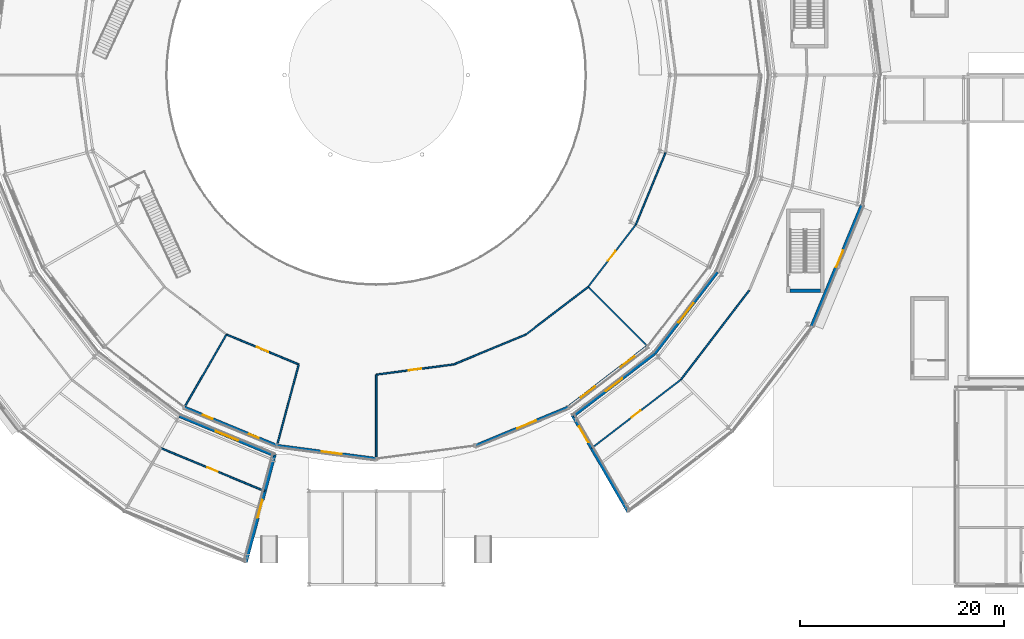
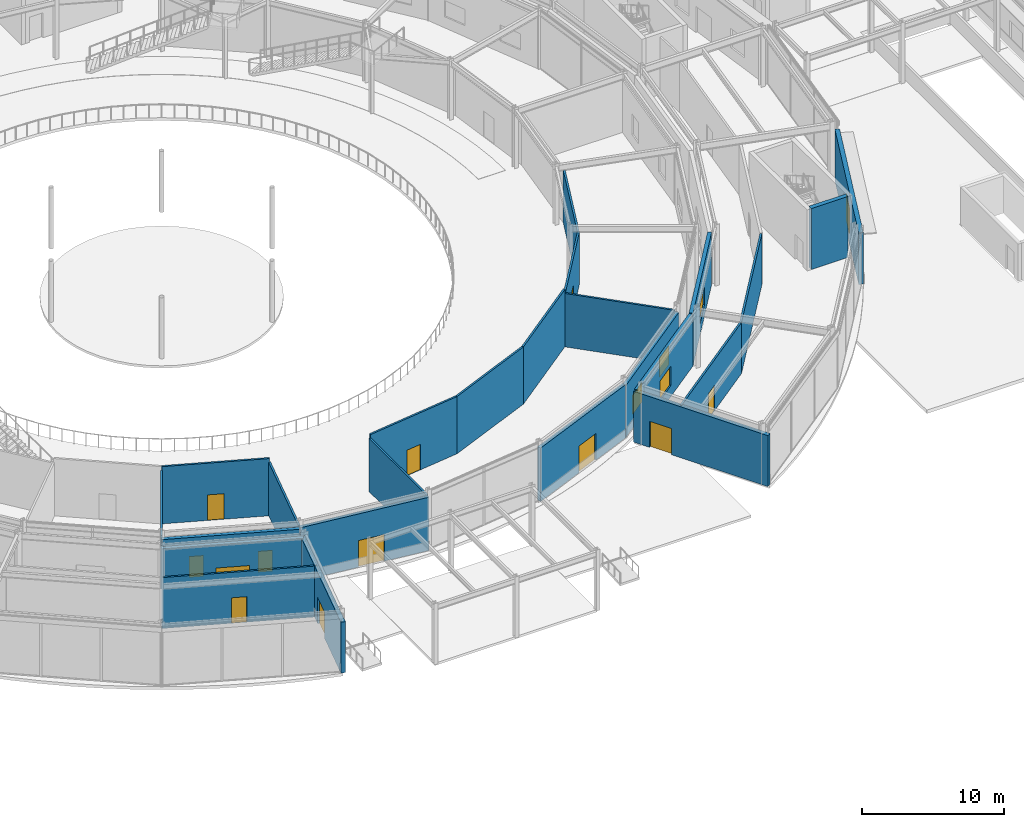
# One storey, part 120 of 168: 24 walls, 10 doors, 7 windows, 17 openings.
"""IFC4 building model written with IfcOpenShell, lengths in metres."""

from ifc_helpers import new_model, si_unit, direction, frame, frame_2d, origin, place, context, subcontext, project, spatial, rectangle, extrude, material, layer, layer_set, type_object, element, fill, save


model = new_model("IFC4")

# Units and contexts
model_context = context("Model", 3, precision=1e-05, world=origin(), true_north=direction((0.0, 1.0)))
body_context = subcontext(model_context, "Body", "Model", "MODEL_VIEW")
ifc_project = project(units=[si_unit("LENGTHUNIT", "METRE"), si_unit("AREAUNIT", "SQUARE_METRE"), si_unit("VOLUMEUNIT", "CUBIC_METRE"), si_unit("PLANEANGLEUNIT", "RADIAN"), si_unit("MASSUNIT", "GRAM", prefix="KILO")], contexts=[model_context])

# Site, building, storey
site_placement = place(None, origin())
site = spatial("IfcSite", under=ifc_project, at=site_placement, CompositionType="ELEMENT")
building_placement = place(site_placement, origin())
building = spatial("IfcBuilding", under=site, at=building_placement, Name="Almandine Court Research Institute", CompositionType="ELEMENT")
storey_placement = place(building_placement, origin())
storey = spatial("IfcBuildingStorey", under=building, at=storey_placement, Name="L00", CompositionType="ELEMENT", Elevation=0.0)

# Wall, opening, door
ifc_material_1 = material(Name="Andean Red-Buff Sandstone Plinth Wall", Category="masonry")
ifc_layer_1 = layer(ifc_material_1, 0.340087890625)
ifc_layer_set_1 = layer_set([ifc_layer_1], Name="Andean Red-Buff Sandstone Plinth Wall")
wall_type_1 = type_object("IfcWallType", Name="Wall-EXT-SAND-340", PredefinedType="SOLIDWALL", material=ifc_layer_set_1)
wall_1_placement = place(storey_placement, frame((134.656982421875, 43.22412109375, 0.0), z_axis=(0.0, 0.0, 1.0), x_axis=(-0.382709793584, -0.923868612896, 0.0)))
wall_1 = element("IfcWall", 1, at=wall_1_placement, inside=storey, type_object=wall_type_1, Name="L00 Drum Outer Facade Wall 22", PredefinedType="SOLIDWALL", context=body_context, shape_type="SweptSolid", body=[
    extrude(rectangle(XDim=12.868896484375, YDim=0.340087890625, at=frame_2d((6.4345703125, 0.0))), origin(), (0.0, 0.0, 1.0), 4.43310546875),
])
opening_1_placement = place(wall_1_placement, frame((4.800048828125, 0.0, 0.0)))
opening_1 = element("IfcOpeningElement", 2, at=opening_1_placement, cuts=wall_1, Name="Opening EX-02", PredefinedType="OPENING", context=body_context, shape_type="SweptSolid", body=[
    extrude(rectangle(XDim=1.800048828125, YDim=2.25, at=frame_2d((0.89990234375, 1.125))), frame((0.0, 0.179931640625, 0.0), z_axis=(0.0, -1.0, 0.0), x_axis=(1.0, 0.0, 0.0)), (0.0, 0.0, 1.0), 0.360107421875),
])
ifc_material_2 = material(Name="Anodised Aluminium Exit Discharge Door", Category="aluminium")
door_type_1 = type_object("IfcDoorType", Name="Door-EX-1800", OperationType="DOUBLE_DOOR_SINGLE_SWING", PredefinedType="DOOR", material=ifc_material_2)
door_1_placement = place(opening_1_placement, origin())
door_1 = element("IfcDoor", 3, at=door_1_placement, inside=storey, type_object=door_type_1, Name="L00 Drum Courtyard Exit Door 22", OperationType="DOUBLE_DOOR_SINGLE_SWING", OverallHeight=2.25, OverallWidth=1.800048828125, PredefinedType="DOOR", context=body_context, shape_type="SweptSolid", body=[
    extrude(rectangle(XDim=1.800048828125, YDim=2.25, at=frame_2d((0.89990234375, 1.125))), frame((0.0, 0.02490234375, 0.0), z_axis=(0.0, -1.0, 0.0), x_axis=(1.0, 0.0, 0.0)), (0.0, 0.0, 1.0), 0.050048828125),
])
fill(opening_1, door_1)

wall_2_placement = place(storey_placement, frame((106.261962890625, 22.636962890625, 0.0), z_axis=(0.0, 0.0, 1.0), x_axis=(0.500037643518, -0.866003669198, 0.0)))
wall_2 = element("IfcWall", 4, at=wall_2_placement, inside=storey, type_object=wall_type_1, Name="L00 Drum Radial End Wall START", PredefinedType="SOLIDWALL", context=body_context, shape_type="SweptSolid", body=[
    extrude(rectangle(XDim=10.951416015625, YDim=0.340087890625, at=frame_2d((5.4755859375, 0.0))), origin(), (0.0, 0.0, 1.0), 4.385986328125),
])
opening_2_placement = place(wall_2_placement, frame((1.300048828125, 0.0, 0.0)))
opening_2 = element("IfcOpeningElement", 5, at=opening_2_placement, cuts=wall_2, Name="Opening EX-02", PredefinedType="OPENING", context=body_context, shape_type="SweptSolid", body=[
    extrude(rectangle(XDim=1.800048828125, YDim=2.25, at=frame_2d((0.89990234375, 1.125))), frame((0.0, 0.179931640625, 0.0), z_axis=(0.0, -1.0, 0.0), x_axis=(1.0, 0.0, 0.0)), (0.0, 0.0, 1.0), 0.360107421875),
])
door_2_placement = place(opening_2_placement, origin())
door_2 = element("IfcDoor", 6, at=door_2_placement, inside=storey, type_object=door_type_1, Name="L00 Drum Pishtaq Portal Exit Door START", OperationType="DOUBLE_DOOR_SINGLE_SWING", OverallHeight=2.25, OverallWidth=1.800048828125, PredefinedType="DOOR", context=body_context, shape_type="SweptSolid", body=[
    extrude(rectangle(XDim=1.800048828125, YDim=2.25, at=frame_2d((0.89990234375, 1.125))), frame((0.0, 0.02490234375, 0.0), z_axis=(0.0, -1.0, 0.0), x_axis=(1.0, 0.0, 0.0)), (0.0, 0.0, 1.0), 0.050048828125),
])
fill(opening_2, door_2)

wall_3_placement = place(storey_placement, frame((74.195068359375, 8.2099609375, 0.0), z_axis=(0.0, 0.0, 1.0), x_axis=(0.258761341476, 0.965941286082, 0.0)))
wall_3 = element("IfcWall", 7, at=wall_3_placement, inside=storey, type_object=wall_type_1, Name="L00 Drum Radial End Wall END", PredefinedType="SOLIDWALL", context=body_context, shape_type="SweptSolid", body=[
    extrude(rectangle(XDim=10.9521484375, YDim=0.340087890625, at=frame_2d((5.47607421875, 0.0))), origin(), (0.0, 0.0, 1.0), 4.385986328125),
])
opening_3_placement = place(wall_3_placement, frame((4.5, 0.0, 0.0)))
opening_3 = element("IfcOpeningElement", 8, at=opening_3_placement, cuts=wall_3, Name="Opening EX-02", PredefinedType="OPENING", context=body_context, shape_type="SweptSolid", body=[
    extrude(rectangle(XDim=1.800048828125, YDim=2.25, at=frame_2d((0.89990234375, 1.125))), frame((0.0, 0.179931640625, 0.0), z_axis=(0.0, -1.0, 0.0), x_axis=(1.0, 0.0, 0.0)), (0.0, 0.0, 1.0), 0.360107421875),
])
door_3_placement = place(opening_3_placement, origin())
door_3 = element("IfcDoor", 9, at=door_3_placement, inside=storey, type_object=door_type_1, Name="L00 Drum Pishtaq Portal Exit Door END", OperationType="DOUBLE_DOOR_SINGLE_SWING", OverallHeight=2.25, OverallWidth=1.800048828125, PredefinedType="DOOR", context=body_context, shape_type="SweptSolid", body=[
    extrude(rectangle(XDim=1.800048828125, YDim=2.25, at=frame_2d((0.89990234375, 1.125))), frame((0.0, 0.02490234375, 0.0), z_axis=(0.0, -1.0, 0.0), x_axis=(1.0, 0.0, 0.0)), (0.0, 0.0, 1.0), 0.050048828125),
])
fill(opening_3, door_3)

# Wall, opening, window
ifc_material_3 = material(Name="Insulated Ochre Terracotta Rainscreen Wall", Category="masonry")
ifc_layer_2 = layer(ifc_material_3, 0.2900390625)
ifc_layer_set_2 = layer_set([ifc_layer_2], Name="Insulated Ochre Terracotta Rainscreen Wall")
wall_type_2 = type_object("IfcWallType", Name="Wall-EXT-TERR-290", PredefinedType="SOLIDWALL", material=ifc_layer_set_2)
wall_4_placement = place(storey_placement, frame((106.3349609375, 22.52294921875, 0.0), z_axis=(0.0, 0.0, 1.0), x_axis=(0.793371621275, 0.608737604027, 0.0)))
wall_4 = element("IfcWall", 10, at=wall_4_placement, inside=storey, type_object=wall_type_2, Name="L00 Drum Inner Gallery Wall 20", PredefinedType="SOLIDWALL", context=body_context, shape_type="SweptSolid", body=[
    extrude(rectangle(XDim=10.079833984375, YDim=0.2900390625, at=frame_2d((5.0400390625, 0.0))), origin(), (0.0, 0.0, 1.0), 4.468994140625),
])
opening_4_placement = place(wall_4_placement, frame((4.02001953125, 0.0, 0.949951171875)))
opening_4 = element("IfcOpeningElement", 11, at=opening_4_placement, cuts=wall_4, Name="Opening WN-93", PredefinedType="OPENING", context=body_context, shape_type="SweptSolid", body=[
    extrude(rectangle(XDim=2.0400390625, YDim=1.669921875, at=frame_2d((1.02001953125, 0.8349609375))), frame((0.0, 0.155029296875, 0.0), z_axis=(0.0, -1.0, 0.0), x_axis=(1.0, 0.0, 0.0)), (0.0, 0.0, 1.0), 0.31005859375),
])
ifc_material_4 = material(Name="Thermally Broken Low-E Double-Glazed Window", Category="glass")
window_type_1 = type_object("IfcWindowType", Name="Win-WN-93-2040x1670", PartitioningType="SINGLE_PANEL", PredefinedType="WINDOW", material=ifc_material_4)
window_1_placement = place(opening_4_placement, origin())
window_1 = element("IfcWindow", 12, at=window_1_placement, inside=storey, type_object=window_type_1, Name="L00 Modular Recessed Low-E Window 205", OverallHeight=1.669921875, OverallWidth=2.0400390625, PartitioningType="SINGLE_PANEL", PredefinedType="WINDOW", context=body_context, shape_type="SweptSolid", body=[
    extrude(rectangle(XDim=2.0400390625, YDim=1.669921875, at=frame_2d((1.02001953125, 0.8349609375))), frame((0.0, 0.030029296875, 0.0), z_axis=(0.0, -1.0, 0.0), x_axis=(1.0, 0.0, 0.0)), (0.0, 0.0, 1.0), 0.06005859375),
])
fill(opening_4, window_1)

wall_5_placement = place(storey_placement, frame((114.341064453125, 28.66796875, 0.0), z_axis=(0.0, 0.0, 1.0), x_axis=(0.608737604027, 0.793371621275, 0.0)))
wall_5 = element("IfcWall", 13, at=wall_5_placement, inside=storey, type_object=wall_type_2, Name="L00 Drum Inner Gallery Wall 21", PredefinedType="SOLIDWALL", context=body_context, shape_type="SweptSolid", body=[
    extrude(rectangle(XDim=10.079833984375, YDim=0.2900390625, at=frame_2d((5.0400390625, 0.0))), origin(), (0.0, 0.0, 1.0), 4.51611328125),
])
opening_5_placement = place(wall_5_placement, frame((3.85498046875, 0.0, 0.949951171875)))
opening_5 = element("IfcOpeningElement", 14, at=opening_5_placement, cuts=wall_5, Name="Opening WN-94", PredefinedType="OPENING", context=body_context, shape_type="SweptSolid", body=[
    extrude(rectangle(XDim=2.3701171875, YDim=1.590087890625, at=frame_2d((1.18505859375, 0.794921875))), frame((0.0, 0.155029296875, 0.0), z_axis=(0.0, -1.0, 0.0), x_axis=(1.0, 0.0, 0.0)), (0.0, 0.0, 1.0), 0.31005859375),
])
window_type_2 = type_object("IfcWindowType", Name="Win-WN-94-2370x1590", PartitioningType="SINGLE_PANEL", PredefinedType="WINDOW", material=ifc_material_4)
window_2_placement = place(opening_5_placement, origin())
window_2 = element("IfcWindow", 15, at=window_2_placement, inside=storey, type_object=window_type_2, Name="L00 Modular Recessed Low-E Window 206", OverallHeight=1.590087890625, OverallWidth=2.3701171875, PartitioningType="SINGLE_PANEL", PredefinedType="WINDOW", context=body_context, shape_type="SweptSolid", body=[
    extrude(rectangle(XDim=2.3701171875, YDim=1.590087890625, at=frame_2d((1.18505859375, 0.794921875))), frame((0.0, 0.030029296875, 0.0), z_axis=(0.0, -1.0, 0.0), x_axis=(1.0, 0.0, 0.0)), (0.0, 0.0, 1.0), 0.06005859375),
])
fill(opening_5, window_2)

wall_6_placement = place(storey_placement, frame((67.675048828125, 22.51708984375, 0.0), z_axis=(0.0, 0.0, 1.0), x_axis=(0.92385889973, -0.382733240508, 0.0)))
wall_6 = element("IfcWall", 16, at=wall_6_placement, inside=storey, type_object=wall_type_2, Name="L00 Drum Inner Gallery Wall 16", PredefinedType="SOLIDWALL", context=body_context, shape_type="SweptSolid", body=[
    extrude(rectangle(XDim=10.08056640625, YDim=0.2900390625, at=frame_2d((5.040283203125, 0.0))), origin(), (0.0, 0.0, 1.0), 4.385986328125),
])
opening_6_placement = place(wall_6_placement, frame((3.85498046875, 0.0, 0.949951171875)))
opening_6 = element("IfcOpeningElement", 17, at=opening_6_placement, cuts=wall_6, Name="Opening WN-25", PredefinedType="OPENING", context=body_context, shape_type="SweptSolid", body=[
    extrude(rectangle(XDim=2.3701171875, YDim=1.429931640625, at=frame_2d((1.18505859375, 0.71484375))), frame((0.0, 0.155029296875, 0.0), z_axis=(0.0, -1.0, 0.0), x_axis=(1.0, 0.0, 0.0)), (0.0, 0.0, 1.0), 0.31005859375),
])
window_type_3 = type_object("IfcWindowType", Name="Win-WN-25-2370x1430", PartitioningType="SINGLE_PANEL", PredefinedType="WINDOW", material=ifc_material_4)
window_3_placement = place(opening_6_placement, origin())
window_3 = element("IfcWindow", 18, at=window_3_placement, inside=storey, type_object=window_type_3, Name="L00 Modular Recessed Low-E Window 238", OverallHeight=1.429931640625, OverallWidth=2.3701171875, PartitioningType="SINGLE_PANEL", PredefinedType="WINDOW", context=body_context, shape_type="SweptSolid", body=[
    extrude(rectangle(XDim=2.3701171875, YDim=1.429931640625, at=frame_2d((1.18505859375, 0.71484375))), frame((0.0, 0.030029296875, 0.0), z_axis=(0.0, -1.0, 0.0), x_axis=(1.0, 0.0, 0.0)), (0.0, 0.0, 1.0), 0.06005859375),
])
fill(opening_6, window_3)

# Wall, openings, windows
wall_7_placement = place(storey_placement, frame((77.251953125, 19.634033203125, 0.0), z_axis=(0.0, 0.0, 1.0), x_axis=(-0.923848052238, 0.382759423628, 0.0)))
wall_7 = element("IfcWall", 19, at=wall_7_placement, inside=storey, type_object=wall_type_2, Name="L00 Interaction Atrium Perimeter Wall 16", PredefinedType="SOLIDWALL", context=body_context, shape_type="SweptSolid", body=[
    extrude(rectangle(XDim=9.82080078125, YDim=0.2900390625, at=frame_2d((4.910400390625, 0.0))), origin(), (0.0, 0.0, 1.0), 4.468994140625),
])
opening_7_placement = place(wall_7_placement, frame((1.929931640625, 0.0, 0.949951171875)))
opening_7 = element("IfcOpeningElement", 20, at=opening_7_placement, cuts=wall_7, Name="Opening WN-16", PredefinedType="OPENING", context=body_context, shape_type="SweptSolid", body=[
    extrude(rectangle(XDim=1.050048828125, YDim=1.800048828125, at=frame_2d((0.52490234375, 0.89990234375))), frame((0.0, 0.155029296875, 0.0), z_axis=(0.0, -1.0, 0.0), x_axis=(1.0, 0.0, 0.0)), (0.0, 0.0, 1.0), 0.31005859375),
])
opening_8_placement = place(wall_7_placement, frame((6.841064453125, 0.0, 0.949951171875)))
opening_8 = element("IfcOpeningElement", 21, at=opening_8_placement, cuts=wall_7, Name="Opening WN-16", PredefinedType="OPENING", context=body_context, shape_type="SweptSolid", body=[
    extrude(rectangle(XDim=1.050048828125, YDim=1.800048828125, at=frame_2d((0.52490234375, 0.89990234375))), frame((0.0, 0.155029296875, 0.0), z_axis=(0.0, -1.0, 0.0), x_axis=(1.0, 0.0, 0.0)), (0.0, 0.0, 1.0), 0.31005859375),
])
window_type_4 = type_object("IfcWindowType", Name="Win-WN-16-1050x1800", PartitioningType="SINGLE_PANEL", PredefinedType="WINDOW", material=ifc_material_4)
window_4_placement = place(opening_7_placement, origin())
window_4 = element("IfcWindow", 22, at=window_4_placement, inside=storey, type_object=window_type_4, Name="L00 Modular Recessed Low-E Window 330", OverallHeight=1.800048828125, OverallWidth=1.050048828125, PartitioningType="SINGLE_PANEL", PredefinedType="WINDOW", context=body_context, shape_type="SweptSolid", body=[
    extrude(rectangle(XDim=1.050048828125, YDim=1.800048828125, at=frame_2d((0.52490234375, 0.89990234375))), frame((0.0, 0.030029296875, 0.0), z_axis=(0.0, -1.0, 0.0), x_axis=(1.0, 0.0, 0.0)), (0.0, 0.0, 1.0), 0.06005859375),
])
fill(opening_7, window_4)
window_5_placement = place(opening_8_placement, origin())
window_5 = element("IfcWindow", 23, at=window_5_placement, inside=storey, type_object=window_type_4, Name="L00 Modular Recessed Low-E Window 331", OverallHeight=1.800048828125, OverallWidth=1.050048828125, PartitioningType="SINGLE_PANEL", PredefinedType="WINDOW", context=body_context, shape_type="SweptSolid", body=[
    extrude(rectangle(XDim=1.050048828125, YDim=1.800048828125, at=frame_2d((0.52490234375, 0.89990234375))), frame((0.0, 0.030029296875, 0.0), z_axis=(0.0, -1.0, 0.0), x_axis=(1.0, 0.0, 0.0)), (0.0, 0.0, 1.0), 0.06005859375),
])
fill(opening_8, window_5)

# Wall, opening, door
wall_8_placement = place(storey_placement, frame((86.99609375, 18.35107421875, 0.0), z_axis=(0.0, 0.0, 1.0), x_axis=(-0.991456749128, 0.130435863969, 0.0)))
wall_8 = element("IfcWall", 24, at=wall_8_placement, inside=storey, type_object=wall_type_2, Name="L00 Interaction Atrium Perimeter Wall 17", PredefinedType="SOLIDWALL", context=body_context, shape_type="SweptSolid", body=[
    extrude(rectangle(XDim=9.821044921875, YDim=0.2900390625, at=frame_2d((4.91064453125, 0.0))), origin(), (0.0, 0.0, 1.0), 4.593017578125),
])
opening_9_placement = place(wall_8_placement, frame((3.39990234375, 0.0, 0.0)))
opening_9 = element("IfcOpeningElement", 25, at=opening_9_placement, cuts=wall_8, Name="Opening EX-01", PredefinedType="OPENING", context=body_context, shape_type="SweptSolid", body=[
    extrude(rectangle(XDim=2.0, YDim=2.300048828125, at=frame_2d((1.0, 1.14990234375))), frame((0.0, 0.155029296875, 0.0), z_axis=(0.0, -1.0, 0.0), x_axis=(1.0, 0.0, 0.0)), (0.0, 0.0, 1.0), 0.31005859375),
])
ifc_material_5 = material(Name="Anodised Aluminium Glazed Exit Door", Category="aluminium")
door_type_2 = type_object("IfcDoorType", Name="Door-EX-2000", OperationType="DOUBLE_DOOR_SINGLE_SWING", PredefinedType="DOOR", material=ifc_material_5)
door_4_placement = place(opening_9_placement, origin())
door_4 = element("IfcDoor", 26, at=door_4_placement, inside=storey, type_object=door_type_2, Name="L00 Interaction Atrium South Portal Exit Door 17", OperationType="DOUBLE_DOOR_SINGLE_SWING", OverallHeight=2.300048828125, OverallWidth=2.0, PredefinedType="DOOR", context=body_context, shape_type="SweptSolid", body=[
    extrude(rectangle(XDim=2.0, YDim=2.300048828125, at=frame_2d((1.0, 1.14990234375))), frame((0.0, 0.02490234375, 0.0), z_axis=(0.0, -1.0, 0.0), x_axis=(1.0, 0.0, 0.0)), (0.0, 0.0, 1.0), 0.050048828125),
])
fill(opening_9, door_4)

wall_9_placement = place(storey_placement, frame((105.821044921875, 23.39306640625, 0.0), z_axis=(0.0, 0.0, 1.0), x_axis=(-0.923848052238, -0.382759423628, 0.0)))
wall_9 = element("IfcWall", 27, at=wall_9_placement, inside=storey, type_object=wall_type_2, Name="L00 Interaction Atrium Perimeter Wall 19", PredefinedType="SOLIDWALL", context=body_context, shape_type="SweptSolid", body=[
    extrude(rectangle(XDim=9.82080078125, YDim=0.2900390625, at=frame_2d((4.910400390625, 0.0))), origin(), (0.0, 0.0, 1.0), 4.593017578125),
])
opening_10_placement = place(wall_9_placement, frame((3.39990234375, 0.0, 0.0)))
opening_10 = element("IfcOpeningElement", 28, at=opening_10_placement, cuts=wall_9, Name="Opening EX-01", PredefinedType="OPENING", context=body_context, shape_type="SweptSolid", body=[
    extrude(rectangle(XDim=2.0, YDim=2.300048828125, at=frame_2d((1.0, 1.14990234375))), frame((0.0, 0.155029296875, 0.0), z_axis=(0.0, -1.0, 0.0), x_axis=(1.0, 0.0, 0.0)), (0.0, 0.0, 1.0), 0.31005859375),
])
door_5_placement = place(opening_10_placement, origin())
door_5 = element("IfcDoor", 29, at=door_5_placement, inside=storey, type_object=door_type_2, Name="L00 Interaction Atrium South Portal Exit Door 19", OperationType="DOUBLE_DOOR_SINGLE_SWING", OverallHeight=2.300048828125, OverallWidth=2.0, PredefinedType="DOOR", context=body_context, shape_type="SweptSolid", body=[
    extrude(rectangle(XDim=2.0, YDim=2.300048828125, at=frame_2d((1.0, 1.14990234375))), frame((0.0, 0.02490234375, 0.0), z_axis=(0.0, -1.0, 0.0), x_axis=(1.0, 0.0, 0.0)), (0.0, 0.0, 1.0), 0.050048828125),
])
fill(opening_10, door_5)

# Wall, openings, windows
wall_10_placement = place(storey_placement, frame((113.618896484375, 29.375, 0.0), z_axis=(0.0, 0.0, 1.0), x_axis=(-0.793364612762, -0.608746738158, 0.0)))
wall_10 = element("IfcWall", 30, at=wall_10_placement, inside=storey, type_object=wall_type_2, Name="L00 Interaction Atrium Perimeter Wall 20", PredefinedType="SOLIDWALL", context=body_context, shape_type="SweptSolid", body=[
    extrude(rectangle(XDim=9.8203125, YDim=0.2900390625, at=frame_2d((4.91015625, 0.0))), origin(), (0.0, 0.0, 1.0), 4.468994140625),
])
opening_11_placement = place(wall_10_placement, frame((1.60009765625, 0.0, 0.949951171875)))
opening_11 = element("IfcOpeningElement", 31, at=opening_11_placement, cuts=wall_10, Name="Opening WN-84", PredefinedType="OPENING", context=body_context, shape_type="SweptSolid", body=[
    extrude(rectangle(XDim=1.7099609375, YDim=1.639892578125, at=frame_2d((0.85498046875, 0.81982421875))), frame((0.0, 0.155029296875, 0.0), z_axis=(0.0, -1.0, 0.0), x_axis=(1.0, 0.0, 0.0)), (0.0, 0.0, 1.0), 0.31005859375),
])
opening_12_placement = place(wall_10_placement, frame((6.510009765625, 0.0, 0.949951171875)))
opening_12 = element("IfcOpeningElement", 32, at=opening_12_placement, cuts=wall_10, Name="Opening WN-84", PredefinedType="OPENING", context=body_context, shape_type="SweptSolid", body=[
    extrude(rectangle(XDim=1.7099609375, YDim=1.639892578125, at=frame_2d((0.85498046875, 0.81982421875))), frame((0.0, 0.155029296875, 0.0), z_axis=(0.0, -1.0, 0.0), x_axis=(1.0, 0.0, 0.0)), (0.0, 0.0, 1.0), 0.31005859375),
])
window_type_5 = type_object("IfcWindowType", Name="Win-WN-84-1710x1640", PartitioningType="SINGLE_PANEL", PredefinedType="WINDOW", material=ifc_material_4)
window_6_placement = place(opening_11_placement, origin())
window_6 = element("IfcWindow", 33, at=window_6_placement, inside=storey, type_object=window_type_5, Name="L00 Modular Recessed Low-E Window 332", OverallHeight=1.639892578125, OverallWidth=1.7099609375, PartitioningType="SINGLE_PANEL", PredefinedType="WINDOW", context=body_context, shape_type="SweptSolid", body=[
    extrude(rectangle(XDim=1.7099609375, YDim=1.639892578125, at=frame_2d((0.85498046875, 0.81982421875))), frame((0.0, 0.030029296875, 0.0), z_axis=(0.0, -1.0, 0.0), x_axis=(1.0, 0.0, 0.0)), (0.0, 0.0, 1.0), 0.06005859375),
])
fill(opening_11, window_6)
window_7_placement = place(opening_12_placement, origin())
window_7 = element("IfcWindow", 34, at=window_7_placement, inside=storey, type_object=window_type_5, Name="L00 Modular Recessed Low-E Window 333", OverallHeight=1.639892578125, OverallWidth=1.7099609375, PartitioningType="SINGLE_PANEL", PredefinedType="WINDOW", context=body_context, shape_type="SweptSolid", body=[
    extrude(rectangle(XDim=1.7099609375, YDim=1.639892578125, at=frame_2d((0.85498046875, 0.81982421875))), frame((0.0, 0.030029296875, 0.0), z_axis=(0.0, -1.0, 0.0), x_axis=(1.0, 0.0, 0.0)), (0.0, 0.0, 1.0), 0.06005859375),
])
fill(opening_12, window_7)

# Wall, opening, door
ifc_material_6 = material(Name="Acoustic Steel-Stud Gypsum Partition Wall", Category="steel")
ifc_layer_3 = layer(ifc_material_6, 0.14990234375)
ifc_layer_set_3 = layer_set([ifc_layer_3], Name="Acoustic Steel-Stud Gypsum Partition Wall")
wall_type_3 = type_object("IfcWallType", Name="Wall-PART-150", PredefinedType="PARTITIONING", material=ifc_layer_set_3)
wall_11_placement = place(storey_placement, frame((108.139892578125, 19.384033203125, 0.0), z_axis=(0.0, 0.0, 1.0), x_axis=(0.793301872689, 0.608828497024, 0.0)))
wall_11 = element("IfcWall", 35, at=wall_11_placement, inside=storey, type_object=wall_type_3, Name="L00 Interior Partition W-V5-L00-CHD-20", PredefinedType="PARTITIONING", context=body_context, shape_type="SweptSolid", body=[
    extrude(rectangle(XDim=11.03759765625, YDim=0.14990234375, at=frame_2d((5.518798828125, 0.0))), origin(), (0.0, 0.0, 1.0), 4.39111328125),
])
opening_13_placement = place(wall_11_placement, frame((4.949951171875, 0.0, 0.0)))
opening_13 = element("IfcOpeningElement", 36, at=opening_13_placement, cuts=wall_11, Name="Opening D-03", PredefinedType="OPENING", context=body_context, shape_type="SweptSolid", body=[
    extrude(rectangle(XDim=1.10009765625, YDim=2.199951171875, at=frame_2d((0.550048828125, 1.10009765625))), frame((0.0, 0.0849609375, 0.0), z_axis=(0.0, -1.0, 0.0), x_axis=(1.0, 0.0, 0.0)), (0.0, 0.0, 1.0), 0.169921875),
])
ifc_material_7 = material(Name="Acoustic Vision-Panel Seminar Door")
door_type_3 = type_object("IfcDoorType", Name="Door-INT-1100", OperationType="NOTDEFINED", PredefinedType="DOOR", material=ifc_material_7)
door_6_placement = place(opening_13_placement, origin())
door_6 = element("IfcDoor", 37, at=door_6_placement, inside=storey, type_object=door_type_3, Name="L00 Drum Computational Research Laboratory Door", OperationType="SINGLE_SWING_LEFT", OverallHeight=2.199951171875, OverallWidth=1.10009765625, PredefinedType="DOOR", context=body_context, shape_type="SweptSolid", body=[
    extrude(rectangle(XDim=1.10009765625, YDim=2.199951171875, at=frame_2d((0.550048828125, 1.10009765625))), frame((0.0, 0.02490234375, 0.0), z_axis=(0.0, -1.0, 0.0), x_axis=(1.0, 0.0, 0.0)), (0.0, 0.0, 1.0), 0.050048828125),
])
fill(opening_13, door_6)

# Wall
wall_12_placement = place(storey_placement, frame((116.89599609375, 26.10400390625, 0.0), z_axis=(0.0, 0.0, 1.0), x_axis=(0.608828497024, 0.793301872689, 0.0)))
element("IfcWall", 38, at=wall_12_placement, inside=storey, type_object=wall_type_3, Name="L00 Interior Partition W-V5-L00-CHD-21", PredefinedType="PARTITIONING", context=body_context, shape_type="SweptSolid", body=[
    extrude(rectangle(XDim=11.03759765625, YDim=0.14990234375, at=frame_2d((5.518798828125, 0.0))), origin(), (0.0, 0.0, 1.0), 4.39111328125),
])

# Wall, opening, door
wall_13_placement = place(storey_placement, frame((65.860107421875, 19.384033203125, 0.0), z_axis=(0.0, 0.0, 1.0), x_axis=(0.923895514793, -0.382644845446, 0.0)))
wall_13 = element("IfcWall", 39, at=wall_13_placement, inside=storey, type_object=wall_type_3, Name="L00 Interior Partition W-V5-L00-CHD-16", PredefinedType="PARTITIONING", context=body_context, shape_type="SweptSolid", body=[
    extrude(rectangle(XDim=11.03662109375, YDim=0.14990234375, at=frame_2d((5.518310546875, 0.0))), origin(), (0.0, 0.0, 1.0), 4.39111328125),
])
opening_14_placement = place(wall_13_placement, frame((4.949951171875, 0.0, 0.0)))
opening_14 = element("IfcOpeningElement", 40, at=opening_14_placement, cuts=wall_13, Name="Opening D-03", PredefinedType="OPENING", context=body_context, shape_type="SweptSolid", body=[
    extrude(rectangle(XDim=1.10009765625, YDim=2.199951171875, at=frame_2d((0.550048828125, 1.10009765625))), frame((0.0, 0.0849609375, 0.0), z_axis=(0.0, -1.0, 0.0), x_axis=(1.0, 0.0, 0.0)), (0.0, 0.0, 1.0), 0.169921875),
])
door_7_placement = place(opening_14_placement, origin())
door_7 = element("IfcDoor", 41, at=door_7_placement, inside=storey, type_object=door_type_3, Name="L00 Drum Write-up Office Door", OperationType="SINGLE_SWING_LEFT", OverallHeight=2.199951171875, OverallWidth=1.10009765625, PredefinedType="DOOR", context=body_context, shape_type="SweptSolid", body=[
    extrude(rectangle(XDim=1.10009765625, YDim=2.199951171875, at=frame_2d((0.550048828125, 1.10009765625))), frame((0.0, 0.02490234375, 0.0), z_axis=(0.0, -1.0, 0.0), x_axis=(1.0, 0.0, 0.0)), (0.0, 0.0, 1.0), 0.050048828125),
])
fill(opening_14, door_7)

wall_14_placement = place(storey_placement, frame((72.300048828125, 30.5390625, 0.0), z_axis=(0.0, 0.0, 1.0), x_axis=(0.923888899357, -0.382660818016, 0.0)))
wall_14 = element("IfcWall", 42, at=wall_14_placement, inside=storey, type_object=wall_type_3, Name="L00 Interior Partition W-V2-L00-CHD-16", PredefinedType="PARTITIONING", context=body_context, shape_type="SweptSolid", body=[
    extrude(rectangle(XDim=7.67529296875, YDim=0.14990234375, at=frame_2d((3.837646484375, 0.0))), origin(), (0.0, 0.0, 1.0), 4.929931640625),
])
opening_15_placement = place(wall_14_placement, frame((3.237060546875, 0.0, 0.0)))
opening_15 = element("IfcOpeningElement", 43, at=opening_15_placement, cuts=wall_14, Name="Opening D-04", PredefinedType="OPENING", context=body_context, shape_type="SweptSolid", body=[
    extrude(rectangle(XDim=1.199951171875, YDim=2.199951171875, at=frame_2d((0.60009765625, 1.10009765625))), frame((0.0, 0.0849609375, 0.0), z_axis=(0.0, -1.0, 0.0), x_axis=(1.0, 0.0, 0.0)), (0.0, 0.0, 1.0), 0.169921875),
])
ifc_material_8 = material(Name="Wide Acoustic Laboratory Suite Door")
door_type_4 = type_object("IfcDoorType", Name="Door-INT-1200", OperationType="NOTDEFINED", PredefinedType="DOOR", material=ifc_material_8)
door_8_placement = place(opening_15_placement, origin())
door_8 = element("IfcDoor", 44, at=door_8_placement, inside=storey, type_object=door_type_4, Name="L00 Atrium Servery Door", OperationType="SINGLE_SWING_LEFT", OverallHeight=2.199951171875, OverallWidth=1.199951171875, PredefinedType="DOOR", context=body_context, shape_type="SweptSolid", body=[
    extrude(rectangle(XDim=1.199951171875, YDim=2.199951171875, at=frame_2d((0.60009765625, 1.10009765625))), frame((0.0, 0.02490234375, 0.0), z_axis=(0.0, -1.0, 0.0), x_axis=(1.0, 0.0, 0.0)), (0.0, 0.0, 1.0), 0.050048828125),
])
fill(opening_15, door_8)

wall_15_placement = place(storey_placement, frame((87.0, 26.60009765625, 0.0), z_axis=(0.0, 0.0, 1.0), x_axis=(0.991441080731, 0.130554905837, 0.0)))
wall_15 = element("IfcWall", 45, at=wall_15_placement, inside=storey, type_object=wall_type_3, Name="L00 Interior Partition W-V2-L00-CHD-18", PredefinedType="PARTITIONING", context=body_context, shape_type="SweptSolid", body=[
    extrude(rectangle(XDim=7.674560546875, YDim=0.14990234375, at=frame_2d((3.83740234375, 0.0))), origin(), (0.0, 0.0, 1.0), 4.929931640625),
])
opening_16_placement = place(wall_15_placement, frame((3.237060546875, 0.0, 0.0)))
opening_16 = element("IfcOpeningElement", 46, at=opening_16_placement, cuts=wall_15, Name="Opening D-04", PredefinedType="OPENING", context=body_context, shape_type="SweptSolid", body=[
    extrude(rectangle(XDim=1.199951171875, YDim=2.199951171875, at=frame_2d((0.60009765625, 1.10009765625))), frame((0.0, 0.0849609375, 0.0), z_axis=(0.0, -1.0, 0.0), x_axis=(1.0, 0.0, 0.0)), (0.0, 0.0, 1.0), 0.169921875),
])
door_9_placement = place(opening_16_placement, origin())
door_9 = element("IfcDoor", 47, at=door_9_placement, inside=storey, type_object=door_type_4, Name="L00 Atrium Institute Cafe Door", OperationType="SINGLE_SWING_RIGHT", OverallHeight=2.199951171875, OverallWidth=1.199951171875, PredefinedType="DOOR", context=body_context, shape_type="SweptSolid", body=[
    extrude(rectangle(XDim=1.199951171875, YDim=2.199951171875, at=frame_2d((0.60009765625, 1.10009765625))), frame((0.0, 0.02490234375, 0.0), z_axis=(0.0, -1.0, 0.0), x_axis=(1.0, 0.0, 0.0)), (0.0, 0.0, 1.0), 0.050048828125),
])
fill(opening_16, door_9)

# Walls
wall_16_placement = place(storey_placement, frame((94.60888671875, 27.60205078125, 0.0), z_axis=(0.0, 0.0, 1.0), x_axis=(0.923888899357, 0.382660818016, 0.0)))
element("IfcWall", 48, at=wall_16_placement, inside=storey, type_object=wall_type_3, Name="L00 Interior Partition W-V2-L00-CHD-19", PredefinedType="PARTITIONING", context=body_context, shape_type="SweptSolid", body=[
    extrude(rectangle(XDim=7.67529296875, YDim=0.14990234375, at=frame_2d((3.837646484375, 0.0))), origin(), (0.0, 0.0, 1.0), 4.929931640625),
])
wall_17_placement = place(storey_placement, frame((101.699951171875, 30.5390625, 0.0), z_axis=(0.0, 0.0, 1.0), x_axis=(0.793382566499, 0.60872333878, 0.0)))
element("IfcWall", 49, at=wall_17_placement, inside=storey, type_object=wall_type_3, Name="L00 Interior Partition W-V2-L00-CHD-20", PredefinedType="PARTITIONING", context=body_context, shape_type="SweptSolid", body=[
    extrude(rectangle(XDim=7.6748046875, YDim=0.14990234375, at=frame_2d((3.83740234375, 0.0))), origin(), (0.0, 0.0, 1.0), 4.929931640625),
])

# Wall, opening, door
wall_18_placement = place(storey_placement, frame((107.7890625, 35.2109375, 0.0), z_axis=(0.0, 0.0, 1.0), x_axis=(0.60872333878, 0.793382566499, 0.0)))
wall_18 = element("IfcWall", 50, at=wall_18_placement, inside=storey, type_object=wall_type_3, Name="L00 Interior Partition W-V2-L00-CHD-21", PredefinedType="PARTITIONING", context=body_context, shape_type="SweptSolid", body=[
    extrude(rectangle(XDim=7.6748046875, YDim=0.14990234375, at=frame_2d((3.83740234375, 0.0))), origin(), (0.0, 0.0, 1.0), 4.51708984375),
])
opening_17_placement = place(wall_18_placement, frame((3.237060546875, 0.0, 0.0)))
opening_17 = element("IfcOpeningElement", 51, at=opening_17_placement, cuts=wall_18, Name="Opening D-04", PredefinedType="OPENING", context=body_context, shape_type="SweptSolid", body=[
    extrude(rectangle(XDim=1.199951171875, YDim=2.199951171875, at=frame_2d((0.60009765625, 1.10009765625))), frame((0.0, 0.0849609375, 0.0), z_axis=(0.0, -1.0, 0.0), x_axis=(1.0, 0.0, 0.0)), (0.0, 0.0, 1.0), 0.169921875),
])
door_10_placement = place(opening_17_placement, origin())
door_10 = element("IfcDoor", 52, at=door_10_placement, inside=storey, type_object=door_type_4, Name="L00 Atrium Dining Hall Door", OperationType="SINGLE_SWING_LEFT", OverallHeight=2.199951171875, OverallWidth=1.199951171875, PredefinedType="DOOR", context=body_context, shape_type="SweptSolid", body=[
    extrude(rectangle(XDim=1.199951171875, YDim=2.199951171875, at=frame_2d((0.60009765625, 1.10009765625))), frame((0.0, 0.02490234375, 0.0), z_axis=(0.0, -1.0, 0.0), x_axis=(1.0, 0.0, 0.0)), (0.0, 0.0, 1.0), 0.050048828125),
])
fill(opening_17, door_10)

# Walls
wall_19_placement = place(storey_placement, frame((112.4609375, 41.300048828125, 0.0), z_axis=(0.0, 0.0, 1.0), x_axis=(0.382660818016, 0.923888899357, 0.0)))
element("IfcWall", 53, at=wall_19_placement, inside=storey, type_object=wall_type_3, Name="L00 Interior Partition W-V2-L00-CHD-22", PredefinedType="PARTITIONING", context=body_context, shape_type="SweptSolid", body=[
    extrude(rectangle(XDim=7.67529296875, YDim=0.14990234375, at=frame_2d((3.837646484375, 0.0))), origin(), (0.0, 0.0, 1.0), 4.51708984375),
])
for number, where, z_axis, x_axis, name in (
    (54, (72.300048828125, 30.5390625, 0.0), (0.0, 0.0, 1.0), (-0.499973530083, -0.866040685659, 0.0), "L00 Interior Partition W-V2-L00-RAD-16"),
    (55, (79.39111328125, 27.60205078125, 0.0), (0.0, 0.0, 1.0), (-0.258901704242, -0.965903674049, 0.0), "L00 Interior Partition W-V2-L00-RAD-17"),
):
    element("IfcWall", number, at=place(storey_placement, frame(where, z_axis=z_axis, x_axis=x_axis)), inside=storey, type_object=wall_type_3, Name=name, PredefinedType="PARTITIONING", context=body_context, shape_type="SweptSolid", body=[
        extrude(rectangle(XDim=8.08056640625, YDim=0.14990234375, at=frame_2d((4.040283203125, 0.0))), origin(), (0.0, 0.0, 1.0), 4.597900390625),
    ])
wall_20_placement = place(storey_placement, frame((87.0, 26.60009765625, 0.0), z_axis=(0.0, 0.0, 1.0), x_axis=(0.0, -1.0, 0.0)))
element("IfcWall", 56, at=wall_20_placement, inside=storey, type_object=wall_type_3, Name="L00 Interior Partition W-V2-L00-RAD-18", PredefinedType="PARTITIONING", context=body_context, shape_type="SweptSolid", body=[
    extrude(rectangle(XDim=8.080078125, YDim=0.14990234375, at=frame_2d((4.0400390625, 0.0))), origin(), (0.0, 0.0, 1.0), 4.597900390625),
])
wall_21_placement = place(storey_placement, frame((107.7890625, 35.2109375, 0.0), z_axis=(0.0, 0.0, 1.0), x_axis=(0.707106781187, -0.707106781187, 0.0)))
element("IfcWall", 57, at=wall_21_placement, inside=storey, type_object=wall_type_3, Name="L00 Interior Partition W-V2-L00-RAD-21", PredefinedType="PARTITIONING", context=body_context, shape_type="SweptSolid", body=[
    extrude(rectangle(XDim=8.079345703125, YDim=0.14990234375, at=frame_2d((4.03955078125, 0.0))), origin(), (0.0, 0.0, 1.0), 4.597900390625),
])
ifc_material_9 = material(Name="Concrete C40/50", Category="concrete")
ifc_layer_4 = layer(ifc_material_9, 0.35009765625)
ifc_layer_set_4 = layer_set([ifc_layer_4], Name="Concrete C40/50")
wall_type_4 = type_object("IfcWallType", Name="Wall-SW-CORE-350", PredefinedType="SHEAR", material=ifc_layer_set_4)
wall_22_placement = place(storey_placement, frame((130.60009765625, 34.824951171875, 0.0), z_axis=(0.0, 0.0, 1.0), x_axis=(-1.0, 0.0, 0.0)))
element("IfcWall", 58, at=wall_22_placement, inside=storey, type_object=wall_type_4, Name="L00 ST-16 S Shear Wall", PredefinedType="SHEAR", context=body_context, shape_type="SweptSolid", body=[
    extrude(rectangle(XDim=3.0, YDim=0.35009765625, at=frame_2d((1.5, 0.0))), origin(), (0.0, 0.0, 1.0), 5.25),
])

save(model, "model.ifc")
